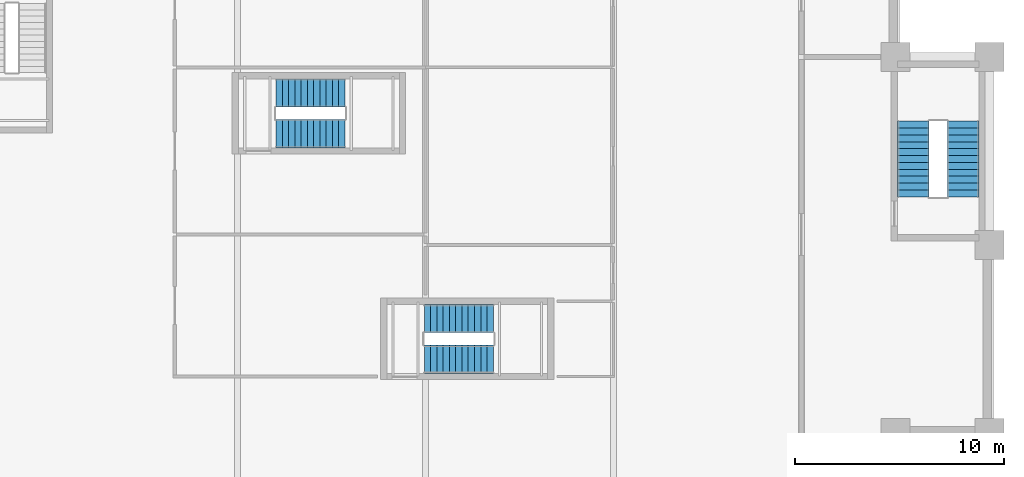
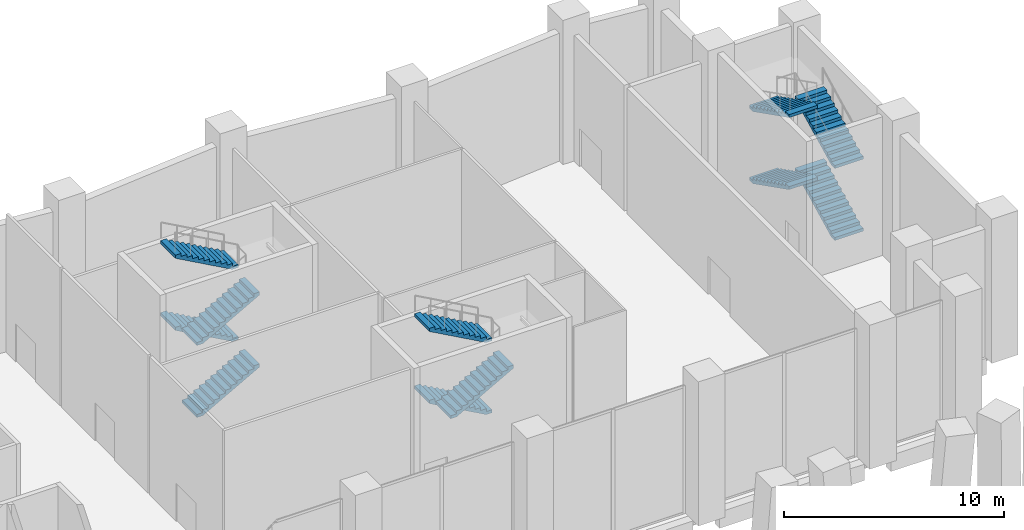
# One storey, part 15 of 19: 11 stair flights, 3 elements without a shape of their own.
"""IFC4 building model written with IfcOpenShell, lengths in metres."""

from ifc_helpers import new_model, si_unit, direction, frame, origin, place, context, subcontext, project, spatial, polyline, outline, extrude, material, type_object, element, aggregate, save


model = new_model("IFC4")

# Units and contexts
model_context = context("Model", 3, precision=1e-05, world=origin(), true_north=direction((0.0, 1.0)))
body_context = subcontext(model_context, "Body", "Model", "MODEL_VIEW")
ifc_project = project(units=[si_unit("LENGTHUNIT", "METRE"), si_unit("AREAUNIT", "SQUARE_METRE"), si_unit("VOLUMEUNIT", "CUBIC_METRE"), si_unit("PLANEANGLEUNIT", "RADIAN"), si_unit("MASSUNIT", "GRAM", prefix="KILO")], contexts=[model_context])

# Site, building, storey
site_placement = place(None, origin())
site = spatial("IfcSite", under=ifc_project, at=site_placement, CompositionType="ELEMENT")
building_placement = place(site_placement, origin())
building = spatial("IfcBuilding", under=site, at=building_placement, Name="Brondeck Convention Tower", CompositionType="ELEMENT")
storey_placement = place(building_placement, frame((0.0, 0.0, 19.5)))
storey = spatial("IfcBuildingStorey", under=building, at=storey_placement, Name="L03", CompositionType="ELEMENT", Elevation=19.5)

# Stair, stair flights
ifc_material = material(Name="Precast concrete C50/60", Category="concrete")
stair_type_1 = type_object("IfcStairType", Name="Core stair 48 risers 166.67 mm riser 300 mm going 1350 wide", PredefinedType="HALF_TURN_STAIR", material=ifc_material)
stair_1_placement = place(storey_placement, origin())
stair_1 = element("IfcStair", 1, at=stair_1_placement, inside=storey, type_object=stair_type_1, Name="ST-AE L03 stair", PredefinedType="HALF_TURN_STAIR")
stair_flight_type_1 = type_object("IfcStairFlightType", Name="Core stair flight 48 risers 166.67 mm riser 300 mm going 1350 wide", PredefinedType="STRAIGHT", material=ifc_material)
stair_flight_1_placement = place(storey_placement, frame((37.85009765625, 54.824951171875, 0.0), z_axis=(0.0, 0.0, 1.0), x_axis=(1.0, 0.0, 0.0)))
stair_flight_1 = element("IfcStairFlight", 2, at=stair_flight_1_placement, type_object=stair_flight_type_1, Name="ST-AE flight 1", NumberOfRisers=12, NumberOfTreads=11, PredefinedType="STRAIGHT", RiserHeight=0.166666667, TreadLength=0.3, context=body_context, shape_type="SweptSolid", body=[
    extrude(outline(polyline([(0.0, 0.0), (0.0, 0.166748046875), (0.300048828125, 0.166748046875), (0.300048828125, 0.333251953125), (0.60009765625, 0.333251953125), (0.60009765625, 0.5), (0.89990234375, 0.5), (0.89990234375, 0.666748046875), (1.199951171875, 0.666748046875), (1.199951171875, 0.833251953125), (1.5, 0.833251953125), (1.5, 1.0), (1.800048828125, 1.0), (1.800048828125, 1.166748046875), (2.10009765625, 1.166748046875), (2.10009765625, 1.333251953125), (2.39990234375, 1.333251953125), (2.39990234375, 1.5), (2.699951171875, 1.5), (2.699951171875, 1.666748046875), (3.0, 1.666748046875), (3.0, 1.833251953125), (3.300048828125, 1.833251953125), (3.300048828125, 2.0), (3.300048828125, 1.661865234375), (0.30859375, 0.0), (0.0, 0.0)])), frame((0.0, 0.675048828125, 0.0), z_axis=(0.0, -1.0, 0.0), x_axis=(1.0, 0.0, 0.0)), (0.0, 0.0, 1.0), 1.35009765625),
])
stair_flight_2_placement = place(storey_placement, frame((41.14990234375, 56.77490234375, 2.0), z_axis=(0.0, 0.0, 1.0), x_axis=(-1.0, 0.0, 0.0)))
stair_flight_2 = element("IfcStairFlight", 3, at=stair_flight_2_placement, type_object=stair_flight_type_1, Name="ST-AE flight 2", NumberOfRisers=12, NumberOfTreads=11, PredefinedType="STRAIGHT", RiserHeight=0.166666667, TreadLength=0.3, context=body_context, shape_type="SweptSolid", body=[
    extrude(outline(polyline([(0.0, 0.0), (0.0, 0.166748046875), (0.300048828125, 0.166748046875), (0.300048828125, 0.333251953125), (0.60009765625, 0.333251953125), (0.60009765625, 0.5), (0.89990234375, 0.5), (0.89990234375, 0.666748046875), (1.199951171875, 0.666748046875), (1.199951171875, 0.833251953125), (1.5, 0.833251953125), (1.5, 1.0), (1.800048828125, 1.0), (1.800048828125, 1.166748046875), (2.10009765625, 1.166748046875), (2.10009765625, 1.333251953125), (2.39990234375, 1.333251953125), (2.39990234375, 1.5), (2.699951171875, 1.5), (2.699951171875, 1.666748046875), (3.0, 1.666748046875), (3.0, 1.833251953125), (3.300048828125, 1.833251953125), (3.300048828125, 2.0), (3.300048828125, 1.661865234375), (0.30859375, 0.0), (0.0, 0.0)])), frame((0.0, 0.675048828125, 0.0), z_axis=(0.0, -1.0, 0.0), x_axis=(1.0, 0.0, 0.0)), (0.0, 0.0, 1.0), 1.35009765625),
])
stair_flight_3_placement = place(storey_placement, frame((37.85009765625, 54.824951171875, 4.0), z_axis=(0.0, 0.0, 1.0), x_axis=(1.0, 0.0, 0.0)))
stair_flight_3 = element("IfcStairFlight", 4, at=stair_flight_3_placement, type_object=stair_flight_type_1, Name="ST-AE flight 3", NumberOfRisers=12, NumberOfTreads=11, PredefinedType="STRAIGHT", RiserHeight=0.166666667, TreadLength=0.3, context=body_context, shape_type="SweptSolid", body=[
    extrude(outline(polyline([(0.0, 0.0), (0.0, 0.166748046875), (0.300048828125, 0.166748046875), (0.300048828125, 0.333251953125), (0.60009765625, 0.333251953125), (0.60009765625, 0.5), (0.89990234375, 0.5), (0.89990234375, 0.666748046875), (1.199951171875, 0.666748046875), (1.199951171875, 0.833251953125), (1.5, 0.833251953125), (1.5, 1.0), (1.800048828125, 1.0), (1.800048828125, 1.166748046875), (2.10009765625, 1.166748046875), (2.10009765625, 1.333251953125), (2.39990234375, 1.333251953125), (2.39990234375, 1.5), (2.699951171875, 1.5), (2.699951171875, 1.666748046875), (3.0, 1.666748046875), (3.0, 1.833251953125), (3.300048828125, 1.833251953125), (3.300048828125, 2.0), (3.300048828125, 1.661865234375), (0.30859375, 0.0), (0.0, 0.0)])), frame((0.0, 0.675048828125, 0.0), z_axis=(0.0, -1.0, 0.0), x_axis=(1.0, 0.0, 0.0)), (0.0, 0.0, 1.0), 1.35009765625),
])
stair_flight_4_placement = place(storey_placement, frame((41.14990234375, 56.77490234375, 6.0), z_axis=(0.0, 0.0, 1.0), x_axis=(-1.0, 0.0, 0.0)))
stair_flight_4 = element("IfcStairFlight", 5, at=stair_flight_4_placement, type_object=stair_flight_type_1, Name="ST-AE flight 4", NumberOfRisers=12, NumberOfTreads=11, PredefinedType="STRAIGHT", RiserHeight=0.166666667, TreadLength=0.3, context=body_context, shape_type="SweptSolid", body=[
    extrude(outline(polyline([(0.0, 0.0), (0.0, 0.166748046875), (0.300048828125, 0.166748046875), (0.300048828125, 0.333251953125), (0.60009765625, 0.333251953125), (0.60009765625, 0.5), (0.89990234375, 0.5), (0.89990234375, 0.666748046875), (1.199951171875, 0.666748046875), (1.199951171875, 0.833251953125), (1.5, 0.833251953125), (1.5, 1.0), (1.800048828125, 1.0), (1.800048828125, 1.166748046875), (2.10009765625, 1.166748046875), (2.10009765625, 1.333251953125), (2.39990234375, 1.333251953125), (2.39990234375, 1.5), (2.699951171875, 1.5), (2.699951171875, 1.666748046875), (3.0, 1.666748046875), (3.0, 1.833251953125), (3.300048828125, 1.833251953125), (3.300048828125, 2.0), (3.300048828125, 1.661865234375), (0.30859375, 0.0), (0.0, 0.0)])), frame((0.0, 0.675048828125, 0.0), z_axis=(0.0, -1.0, 0.0), x_axis=(1.0, 0.0, 0.0)), (0.0, 0.0, 1.0), 1.35009765625),
])
aggregate(stair_1, [stair_flight_1, stair_flight_2, stair_flight_3, stair_flight_4])

stair_2_placement = place(storey_placement, origin())
stair_2 = element("IfcStair", 6, at=stair_2_placement, inside=storey, type_object=stair_type_1, Name="ST-AF L03 stair", PredefinedType="HALF_TURN_STAIR")
stair_flight_5_placement = place(storey_placement, frame((48.25, 45.97509765625, 2.0), z_axis=(0.0, 0.0, 1.0), x_axis=(-1.0, 0.0, 0.0)))
stair_flight_5 = element("IfcStairFlight", 7, at=stair_flight_5_placement, type_object=stair_flight_type_1, Name="ST-AF flight 2", NumberOfRisers=12, NumberOfTreads=11, PredefinedType="STRAIGHT", RiserHeight=0.166666667, TreadLength=0.3, context=body_context, shape_type="SweptSolid", body=[
    extrude(outline(polyline([(0.0, 0.0), (0.0, 0.166748046875), (0.300048828125, 0.166748046875), (0.300048828125, 0.333251953125), (0.60009765625, 0.333251953125), (0.60009765625, 0.5), (0.89990234375, 0.5), (0.89990234375, 0.666748046875), (1.199951171875, 0.666748046875), (1.199951171875, 0.833251953125), (1.5, 0.833251953125), (1.5, 1.0), (1.800048828125, 1.0), (1.800048828125, 1.166748046875), (2.10009765625, 1.166748046875), (2.10009765625, 1.333251953125), (2.39990234375, 1.333251953125), (2.39990234375, 1.5), (2.699951171875, 1.5), (2.699951171875, 1.666748046875), (3.0, 1.666748046875), (3.0, 1.833251953125), (3.300048828125, 1.833251953125), (3.300048828125, 2.0), (3.300048828125, 1.661865234375), (0.30859375, 0.0), (0.0, 0.0)])), frame((0.0, 0.675048828125, 0.0), z_axis=(0.0, -1.0, 0.0), x_axis=(1.0, 0.0, 0.0)), (0.0, 0.0, 1.0), 1.35009765625),
])
stair_flight_6_placement = place(storey_placement, frame((44.949951171875, 44.02490234375, 4.0), z_axis=(0.0, 0.0, 1.0), x_axis=(1.0, 0.0, 0.0)))
stair_flight_6 = element("IfcStairFlight", 8, at=stair_flight_6_placement, type_object=stair_flight_type_1, Name="ST-AF flight 3", NumberOfRisers=12, NumberOfTreads=11, PredefinedType="STRAIGHT", RiserHeight=0.166666667, TreadLength=0.3, context=body_context, shape_type="SweptSolid", body=[
    extrude(outline(polyline([(0.0, 0.0), (0.0, 0.166748046875), (0.300048828125, 0.166748046875), (0.300048828125, 0.333251953125), (0.60009765625, 0.333251953125), (0.60009765625, 0.5), (0.89990234375, 0.5), (0.89990234375, 0.666748046875), (1.199951171875, 0.666748046875), (1.199951171875, 0.833251953125), (1.5, 0.833251953125), (1.5, 1.0), (1.800048828125, 1.0), (1.800048828125, 1.166748046875), (2.10009765625, 1.166748046875), (2.10009765625, 1.333251953125), (2.39990234375, 1.333251953125), (2.39990234375, 1.5), (2.699951171875, 1.5), (2.699951171875, 1.666748046875), (3.0, 1.666748046875), (3.0, 1.833251953125), (3.300048828125, 1.833251953125), (3.300048828125, 2.0), (3.300048828125, 1.661865234375), (0.30859375, 0.0), (0.0, 0.0)])), frame((0.0, 0.675048828125, 0.0), z_axis=(0.0, -1.0, 0.0), x_axis=(1.0, 0.0, 0.0)), (0.0, 0.0, 1.0), 1.35009765625),
])
stair_flight_7_placement = place(storey_placement, frame((48.25, 45.97509765625, 6.0), z_axis=(0.0, 0.0, 1.0), x_axis=(-1.0, 0.0, 0.0)))
stair_flight_7 = element("IfcStairFlight", 9, at=stair_flight_7_placement, type_object=stair_flight_type_1, Name="ST-AF flight 4", NumberOfRisers=12, NumberOfTreads=11, PredefinedType="STRAIGHT", RiserHeight=0.166666667, TreadLength=0.3, context=body_context, shape_type="SweptSolid", body=[
    extrude(outline(polyline([(0.0, 0.0), (0.0, 0.166748046875), (0.300048828125, 0.166748046875), (0.300048828125, 0.333251953125), (0.60009765625, 0.333251953125), (0.60009765625, 0.5), (0.89990234375, 0.5), (0.89990234375, 0.666748046875), (1.199951171875, 0.666748046875), (1.199951171875, 0.833251953125), (1.5, 0.833251953125), (1.5, 1.0), (1.800048828125, 1.0), (1.800048828125, 1.166748046875), (2.10009765625, 1.166748046875), (2.10009765625, 1.333251953125), (2.39990234375, 1.333251953125), (2.39990234375, 1.5), (2.699951171875, 1.5), (2.699951171875, 1.666748046875), (3.0, 1.666748046875), (3.0, 1.833251953125), (3.300048828125, 1.833251953125), (3.300048828125, 2.0), (3.300048828125, 1.661865234375), (0.30859375, 0.0), (0.0, 0.0)])), frame((0.0, 0.675048828125, 0.0), z_axis=(0.0, -1.0, 0.0), x_axis=(1.0, 0.0, 0.0)), (0.0, 0.0, 1.0), 1.35009765625),
])
aggregate(stair_2, [stair_flight_5, stair_flight_6, stair_flight_7])

stair_type_2 = type_object("IfcStairType", Name="Core stair 48 risers 166.67 mm riser 330 mm going 1500 wide", PredefinedType="HALF_TURN_STAIR", material=ifc_material)
stair_3_placement = place(storey_placement, origin())
stair_3 = element("IfcStair", 10, at=stair_3_placement, inside=storey, type_object=stair_type_2, Name="PS-1 L03 stair", PredefinedType="HALF_TURN_STAIR")
stair_flight_type_2 = type_object("IfcStairFlightType", Name="Core stair flight 48 risers 166.67 mm riser 330 mm going 1500 wide", PredefinedType="STRAIGHT", material=ifc_material)
stair_flight_8_placement = place(storey_placement, frame((70.75, 51.800048828125, 0.0), z_axis=(0.0, 0.0, 1.0), x_axis=(0.0, 1.0, 0.0)))
stair_flight_8 = element("IfcStairFlight", 11, at=stair_flight_8_placement, type_object=stair_flight_type_2, Name="PS-1 flight 1", NumberOfRisers=12, NumberOfTreads=11, PredefinedType="STRAIGHT", RiserHeight=0.166666667, TreadLength=0.33, context=body_context, shape_type="SweptSolid", body=[
    extrude(outline(polyline([(0.0, 0.0), (0.0, 0.166748046875), (0.330078125, 0.166748046875), (0.330078125, 0.333251953125), (0.659912109375, 0.333251953125), (0.659912109375, 0.5), (0.989990234375, 0.5), (0.989990234375, 0.666748046875), (1.320068359375, 0.666748046875), (1.320068359375, 0.833251953125), (1.64990234375, 0.833251953125), (1.64990234375, 1.0), (1.97998046875, 1.0), (1.97998046875, 1.166748046875), (2.31005859375, 1.166748046875), (2.31005859375, 1.333251953125), (2.639892578125, 1.333251953125), (2.639892578125, 1.5), (2.969970703125, 1.5), (2.969970703125, 1.666748046875), (3.300048828125, 1.666748046875), (3.300048828125, 1.833251953125), (3.6298828125, 1.833251953125), (3.6298828125, 2.0), (3.6298828125, 1.665283203125), (0.33251953125, 0.0), (0.0, 0.0)])), frame((0.0, 0.75, 0.0), z_axis=(0.0, -1.0, 0.0), x_axis=(1.0, 0.0, 0.0)), (0.0, 0.0, 1.0), 1.5),
])
stair_flight_9_placement = place(storey_placement, frame((68.35009765625, 55.429931640625, 2.0), z_axis=(0.0, 0.0, 1.0), x_axis=(0.0, -1.0, 0.0)))
stair_flight_9 = element("IfcStairFlight", 12, at=stair_flight_9_placement, type_object=stair_flight_type_2, Name="PS-1 flight 2", NumberOfRisers=12, NumberOfTreads=11, PredefinedType="STRAIGHT", RiserHeight=0.166666667, TreadLength=0.33, context=body_context, shape_type="SweptSolid", body=[
    extrude(outline(polyline([(0.0, 0.0), (0.0, 0.166748046875), (0.330078125, 0.166748046875), (0.330078125, 0.333251953125), (0.659912109375, 0.333251953125), (0.659912109375, 0.5), (0.989990234375, 0.5), (0.989990234375, 0.666748046875), (1.320068359375, 0.666748046875), (1.320068359375, 0.833251953125), (1.64990234375, 0.833251953125), (1.64990234375, 1.0), (1.97998046875, 1.0), (1.97998046875, 1.166748046875), (2.31005859375, 1.166748046875), (2.31005859375, 1.333251953125), (2.639892578125, 1.333251953125), (2.639892578125, 1.5), (2.969970703125, 1.5), (2.969970703125, 1.666748046875), (3.300048828125, 1.666748046875), (3.300048828125, 1.833251953125), (3.6298828125, 1.833251953125), (3.6298828125, 2.0), (3.6298828125, 1.665283203125), (0.33251953125, 0.0), (0.0, 0.0)])), frame((0.0, 0.75, 0.0), z_axis=(0.0, -1.0, 0.0), x_axis=(1.0, 0.0, 0.0)), (0.0, 0.0, 1.0), 1.5),
])
stair_flight_10_placement = place(storey_placement, frame((70.75, 51.800048828125, 4.0), z_axis=(0.0, 0.0, 1.0), x_axis=(0.0, 1.0, 0.0)))
stair_flight_10 = element("IfcStairFlight", 13, at=stair_flight_10_placement, type_object=stair_flight_type_2, Name="PS-1 flight 3", NumberOfRisers=12, NumberOfTreads=11, PredefinedType="STRAIGHT", RiserHeight=0.166666667, TreadLength=0.33, context=body_context, shape_type="SweptSolid", body=[
    extrude(outline(polyline([(0.0, 0.0), (0.0, 0.166748046875), (0.330078125, 0.166748046875), (0.330078125, 0.333251953125), (0.659912109375, 0.333251953125), (0.659912109375, 0.5), (0.989990234375, 0.5), (0.989990234375, 0.666748046875), (1.320068359375, 0.666748046875), (1.320068359375, 0.833251953125), (1.64990234375, 0.833251953125), (1.64990234375, 1.0), (1.97998046875, 1.0), (1.97998046875, 1.166748046875), (2.31005859375, 1.166748046875), (2.31005859375, 1.333251953125), (2.639892578125, 1.333251953125), (2.639892578125, 1.5), (2.969970703125, 1.5), (2.969970703125, 1.666748046875), (3.300048828125, 1.666748046875), (3.300048828125, 1.833251953125), (3.6298828125, 1.833251953125), (3.6298828125, 2.0), (3.6298828125, 1.665283203125), (0.33251953125, 0.0), (0.0, 0.0)])), frame((0.0, 0.75, 0.0), z_axis=(0.0, -1.0, 0.0), x_axis=(1.0, 0.0, 0.0)), (0.0, 0.0, 1.0), 1.5),
])
stair_flight_11_placement = place(storey_placement, frame((68.35009765625, 55.429931640625, 6.0), z_axis=(0.0, 0.0, 1.0), x_axis=(0.0, -1.0, 0.0)))
stair_flight_11 = element("IfcStairFlight", 14, at=stair_flight_11_placement, type_object=stair_flight_type_2, Name="PS-1 flight 4", NumberOfRisers=12, NumberOfTreads=11, PredefinedType="STRAIGHT", RiserHeight=0.166666667, TreadLength=0.33, context=body_context, shape_type="SweptSolid", body=[
    extrude(outline(polyline([(0.0, 0.0), (0.0, 0.166748046875), (0.330078125, 0.166748046875), (0.330078125, 0.333251953125), (0.659912109375, 0.333251953125), (0.659912109375, 0.5), (0.989990234375, 0.5), (0.989990234375, 0.666748046875), (1.320068359375, 0.666748046875), (1.320068359375, 0.833251953125), (1.64990234375, 0.833251953125), (1.64990234375, 1.0), (1.97998046875, 1.0), (1.97998046875, 1.166748046875), (2.31005859375, 1.166748046875), (2.31005859375, 1.333251953125), (2.639892578125, 1.333251953125), (2.639892578125, 1.5), (2.969970703125, 1.5), (2.969970703125, 1.666748046875), (3.300048828125, 1.666748046875), (3.300048828125, 1.833251953125), (3.6298828125, 1.833251953125), (3.6298828125, 2.0), (3.6298828125, 1.665283203125), (0.33251953125, 0.0), (0.0, 0.0)])), frame((0.0, 0.75, 0.0), z_axis=(0.0, -1.0, 0.0), x_axis=(1.0, 0.0, 0.0)), (0.0, 0.0, 1.0), 1.5),
])
aggregate(stair_3, [stair_flight_8, stair_flight_9, stair_flight_10, stair_flight_11])

save(model, "model.ifc")
